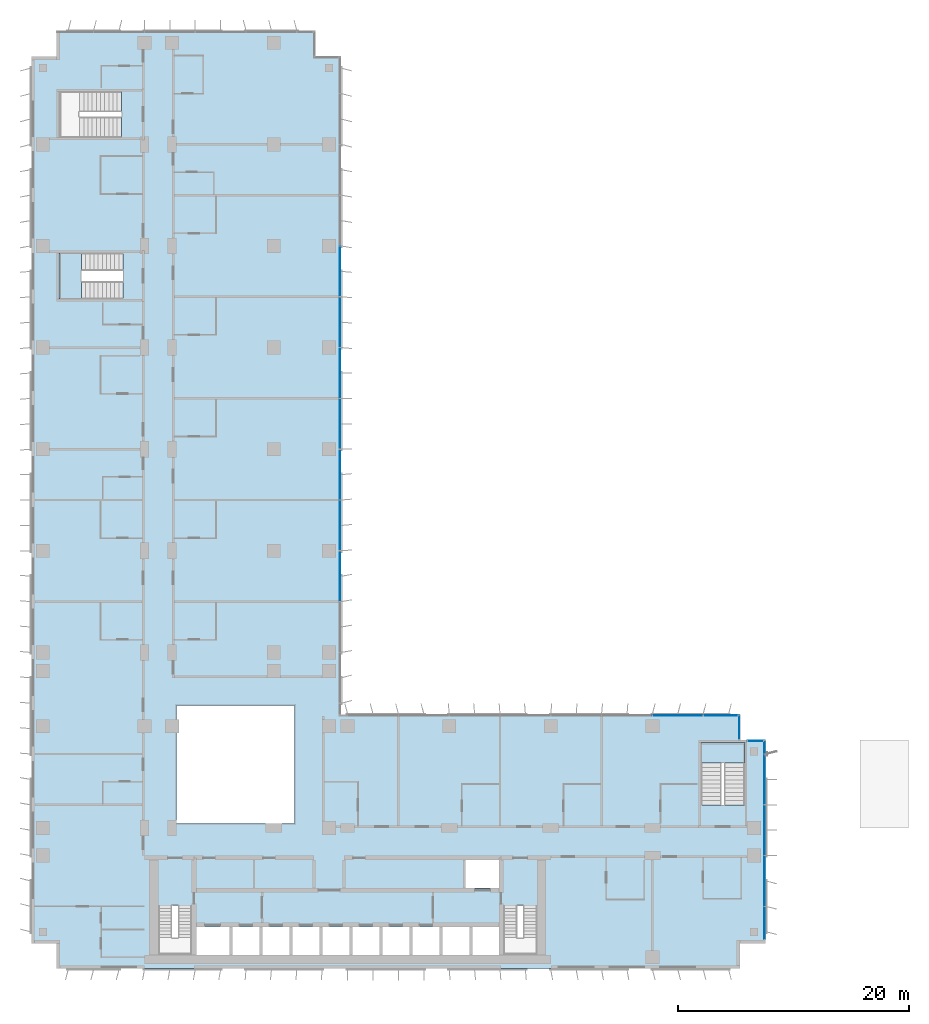
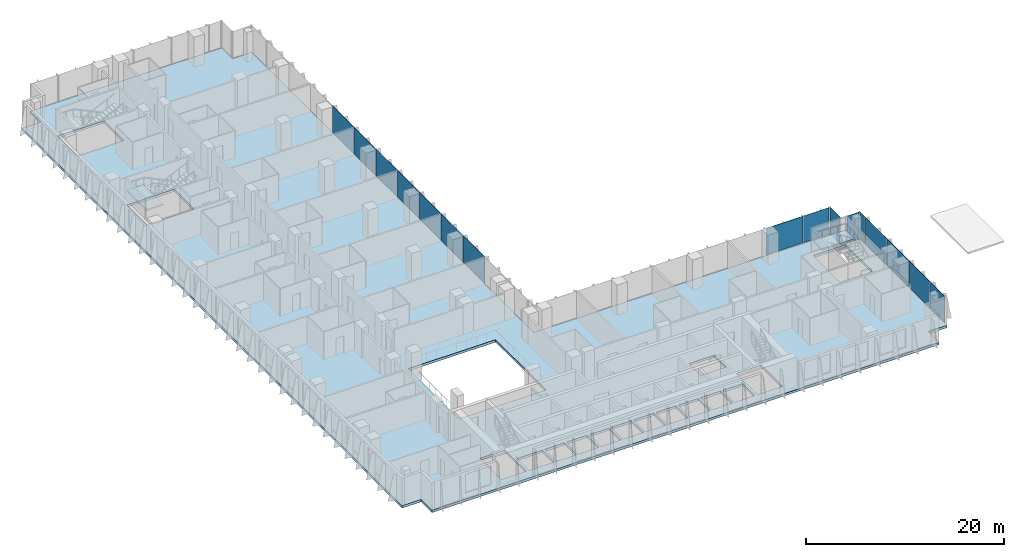
# One storey, part 11 of 22: 16 plates, 3 slabs, 7 elements without a shape of their own.
"""IFC4 building model written with IfcOpenShell, lengths in metres."""

import ifcopenshell
import ifcopenshell.guid

model = None  # the IFC model being written
_history = None  # IfcOwnerHistory: only IFC2X3 demands one
_inside = {}  # id of a spatial element -> (the spatial element, [elements in it])
_under = {}  # id of a project, library or spatial element -> (it, [spatial elements below it])
_declared = {}  # id of a project -> (the project, [libraries it declares])
_typed = {}  # id of a type object -> (the type object, [elements of that type])
_made_of = {}  # id of a material, layer set ... -> (it, [elements and type objects made of it])


def new_model(schema):
    """Start an empty IFC model of exactly this schema.

    Asked for "IFC4X3", IfcOpenShell would pick the latest addendum, in which some entities
    have other attributes; the version numbers below select the first issue.
    IFC2X3 requires an IfcOwnerHistory on every rooted entity: one is made here for all.
    """
    global model, _history
    if schema == "IFC4X3":
        model = ifcopenshell.file(schema_version=(4, 3, 0, 0))
    else:
        model = ifcopenshell.file(schema=schema)
    _inside.clear()
    _under.clear()
    _declared.clear()
    _typed.clear()
    _made_of.clear()
    _history = None
    if model.schema == "IFC2X3":
        org = make("IfcOrganization", Name="unknown")
        user = make(
            "IfcPersonAndOrganization",
            ThePerson=make("IfcPerson", FamilyName="unknown"),
            TheOrganization=org,
        )
        app = make(
            "IfcApplication",
            ApplicationDeveloper=org,
            Version="unknown",
            ApplicationFullName="unknown",
            ApplicationIdentifier="unknown",
        )
        _history = make(
            "IfcOwnerHistory",
            OwningUser=user,
            OwningApplication=app,
            ChangeAction="ADDED",
            CreationDate=0,
        )
    return model


def make(cls, **values):
    """One entity of the class cls with the attributes given. An attribute that is None is left unset."""
    return model.create_entity(
        cls, **{name: value for name, value in values.items() if value is not None}
    )


def rooted(cls, **values):
    """An entity with a GlobalId (a new one), such as an element, a storey or a relation."""
    return make(cls, GlobalId=ifcopenshell.guid.new(), OwnerHistory=_history, **values)


def si_unit(unit_type, name, prefix=None):
    """IfcSIUnit, for example si_unit("LENGTHUNIT", "METRE", prefix="MILLI")."""
    return make("IfcSIUnit", UnitType=unit_type, Prefix=prefix, Name=name)


def assignment(units):
    """IfcUnitAssignment: the units of a project."""
    return None if units is None else make("IfcUnitAssignment", Units=units)


def point(xyz):
    """IfcCartesianPoint."""
    return None if xyz is None else make("IfcCartesianPoint", Coordinates=xyz)


def direction(xyz):
    """IfcDirection."""
    return None if xyz is None else make("IfcDirection", DirectionRatios=xyz)


def frame(location, z_axis=None, x_axis=None):
    """IfcAxis2Placement3D, a coordinate frame: its origin and axes. An axis left out is left unset."""
    return make(
        "IfcAxis2Placement3D",
        Location=point(location),
        Axis=direction(z_axis),
        RefDirection=direction(x_axis),
    )


def frame_2d(location, x_axis=None):
    """IfcAxis2Placement2D, a coordinate frame in the plane: its origin and x axis."""
    return make(
        "IfcAxis2Placement2D", Location=point(location), RefDirection=direction(x_axis)
    )


def origin():
    """The frame at (0, 0, 0) with its axes left unset."""
    return frame((0.0, 0.0, 0.0))


def origin_2d():
    """The frame at (0, 0) in the plane with its x axis left unset."""
    return frame_2d((0.0, 0.0))


def place(relative_to, where):
    """IfcLocalPlacement: puts the frame where relative to a parent placement (None: the world)."""
    return make(
        "IfcLocalPlacement", PlacementRelTo=relative_to, RelativePlacement=where
    )


def context(
    kind, dimensions, precision=None, world=None, true_north=None, identifier=None
):
    """IfcGeometricRepresentationContext, for example the 3D "Model" context."""
    return make(
        "IfcGeometricRepresentationContext",
        ContextIdentifier=identifier,
        ContextType=kind,
        CoordinateSpaceDimension=dimensions,
        Precision=precision,
        WorldCoordinateSystem=world,
        TrueNorth=true_north,
    )


def subcontext(parent, identifier, kind, view, scale=None):
    """IfcGeometricRepresentationSubContext, for example "Body" below "Model"."""
    return make(
        "IfcGeometricRepresentationSubContext",
        ContextIdentifier=identifier,
        ContextType=kind,
        ParentContext=parent,
        TargetScale=scale,
        TargetView=view,
    )


def project(units=None, contexts=None):
    """IfcProject with its units and contexts."""
    return rooted(
        "IfcProject",
        Name="project",
        RepresentationContexts=contexts,
        UnitsInContext=assignment(units),
    )


def spatial(cls, under=None, at=None, **own):
    """A site, building, storey or space (cls), placed at a placement, below another one or the project."""
    s = rooted(cls, ObjectPlacement=at, **own)
    if under is not None:
        _under.setdefault(under.id(), (under, []))[1].append(s)
    return s


def polyline(points):
    """IfcPolyline through the points."""
    return make("IfcPolyline", Points=[point(p) for p in points])


def profile(cls, at=None, kind="AREA", **sizes):
    """A parametric profile (cls). Its sizes go by their IFC names, for example OverallWidth=200.0."""
    return make(cls, ProfileType=kind, Position=at, **sizes)


def rectangle(**sizes):
    """IfcRectangleProfileDef."""
    return profile("IfcRectangleProfileDef", **sizes)


def outline(outer, holes=None, kind="AREA"):
    """IfcArbitraryClosedProfileDef: a profile drawn as a closed curve; with holes, ...WithVoids."""
    if holes is None:
        return make("IfcArbitraryClosedProfileDef", ProfileType=kind, OuterCurve=outer)
    return make(
        "IfcArbitraryProfileDefWithVoids",
        ProfileType=kind,
        OuterCurve=outer,
        InnerCurves=holes,
    )


def extrude(swept, where, along, depth):
    """IfcExtrudedAreaSolid: the profile swept, set in the frame where, extruded along a direction by depth."""
    return make(
        "IfcExtrudedAreaSolid",
        SweptArea=swept,
        Position=where,
        ExtrudedDirection=direction(along),
        Depth=depth,
    )


def shape(context_of_items, identifier, shape_type, items):
    """IfcShapeRepresentation: the items that make up one representation, for example the "Body"."""
    return make(
        "IfcShapeRepresentation",
        ContextOfItems=context_of_items,
        RepresentationIdentifier=identifier,
        RepresentationType=shape_type,
        Items=items,
    )


def source(mapping_origin, context_of_items, identifier, shape_type, items):
    """IfcRepresentationMap: a shape defined once, which mapped items show again and again."""
    return make(
        "IfcRepresentationMap",
        MappingOrigin=mapping_origin,
        MappedRepresentation=shape(context_of_items, identifier, shape_type, items),
    )


def transform(
    local_origin,
    x_axis=None,
    y_axis=None,
    z_axis=None,
    scale=None,
    scale2=None,
    scale3=None,
    uniform=True,
):
    """IfcCartesianTransformationOperator3D, or its non-uniform kind. x_axis, y_axis, z_axis: its Axis1, 2, 3."""
    if uniform:
        return make(
            "IfcCartesianTransformationOperator3D",
            Axis1=direction(x_axis),
            Axis2=direction(y_axis),
            LocalOrigin=point(local_origin),
            Scale=scale,
            Axis3=direction(z_axis),
        )
    return make(
        "IfcCartesianTransformationOperator3DnonUniform",
        Axis1=direction(x_axis),
        Axis2=direction(y_axis),
        LocalOrigin=point(local_origin),
        Scale=scale,
        Axis3=direction(z_axis),
        Scale2=scale2,
        Scale3=scale3,
    )


def mapped(mapping_source, mapping_target):
    """IfcMappedItem: shows the shape of a source again, moved by a transform."""
    return make(
        "IfcMappedItem", MappingSource=mapping_source, MappingTarget=mapping_target
    )


def material(Name=None, Category=None):
    """IfcMaterial."""
    return make("IfcMaterial", Name=Name, Category=Category)


def layer(
    of_material, thickness, ventilated=None, Name=None, Category=None, Priority=None
):
    """IfcMaterialLayer: one layer of a wall or slab, of a material (None: an air gap)."""
    return make(
        "IfcMaterialLayer",
        Material=of_material,
        LayerThickness=thickness,
        IsVentilated=ventilated,
        Name=Name,
        Category=Category,
        Priority=Priority,
    )


def layer_set(layers, Name=None):
    """IfcMaterialLayerSet."""
    return make("IfcMaterialLayerSet", MaterialLayers=layers, LayerSetName=Name)


def made_of(thing, what):
    """Note that an element or type object is made of a material, layer set ...; save() writes the relation."""
    if what is not None:
        _made_of.setdefault(what.id(), (what, []))[1].append(thing)
    return thing


def type_object(cls, material=None, **own):
    """A type object (cls), such as IfcWallType, which elements share."""
    return made_of(rooted(cls, **own), material)


def element(
    cls,
    number,
    at=None,
    inside=None,
    cuts=None,
    type_object=None,
    material=None,
    context=None,
    identifier="Body",
    shape_type=None,
    held_by="IfcProductDefinitionShape",
    body=None,
    shapes=None,
    **own,
):
    """One element of the class cls, such as IfcWall. Its Tag is "e" and its number.

    at: its placement. inside: the storey or other place that contains it. cuts: it is an
    opening in that element (IfcRelVoidsElement). A single representation is given by context,
    identifier, shape_type and body (its items); several are given by shapes. held_by: the class
    of the entity that holds the representations. save() writes the other relations.
    """
    e = rooted(cls, Tag="e%d" % number, ObjectPlacement=at, **own)
    if body is not None:
        shapes = [shape(context, identifier, shape_type, body)]
    if shapes is not None:
        e.Representation = make(held_by, Representations=shapes)
    if inside is not None:
        _inside.setdefault(inside.id(), (inside, []))[1].append(e)
    if cuts is not None:
        rooted(
            "IfcRelVoidsElement", RelatingBuildingElement=cuts, RelatedOpeningElement=e
        )
    if type_object is not None:
        _typed.setdefault(type_object.id(), (type_object, []))[1].append(e)
    return made_of(e, material)


def aggregate(whole, parts):
    """IfcRelAggregates: a whole, such as a stair, and the parts it consists of."""
    return rooted("IfcRelAggregates", RelatingObject=whole, RelatedObjects=parts)


def save(model, path):
    """Write the relations noted so far, then the file.

    IfcRelAggregates (storeys below a building ...), IfcRelContainedInSpatialStructure (elements
    in a storey), IfcRelDefinesByType, IfcRelAssociatesMaterial and IfcRelDeclares: one each for
    every whole, place, type object, material and project.
    """
    for whole, parts in _under.values():
        aggregate(whole, parts)
    for where, things in _inside.values():
        rooted(
            "IfcRelContainedInSpatialStructure",
            RelatedElements=things,
            RelatingStructure=where,
        )
    for kind, things in _typed.values():
        rooted("IfcRelDefinesByType", RelatedObjects=things, RelatingType=kind)
    for what, things in _made_of.values():
        rooted("IfcRelAssociatesMaterial", RelatedObjects=things, RelatingMaterial=what)
    for by, libraries in _declared.values():
        rooted("IfcRelDeclares", RelatingContext=by, RelatedDefinitions=libraries)
    model.write(path)


model = new_model("IFC4")

# Units and contexts
model_context = context("Model", 3, precision=1e-05, world=origin(), true_north=direction((0.0, 1.0)))
body_context = subcontext(model_context, "Body", "Model", "MODEL_VIEW")
ifc_project = project(units=[si_unit("LENGTHUNIT", "METRE"), si_unit("AREAUNIT", "SQUARE_METRE"), si_unit("VOLUMEUNIT", "CUBIC_METRE"), si_unit("PLANEANGLEUNIT", "RADIAN"), si_unit("MASSUNIT", "GRAM", prefix="KILO")], contexts=[model_context])

# Site, building, storey
site_placement = place(None, origin())
site = spatial("IfcSite", under=ifc_project, at=site_placement, CompositionType="ELEMENT")
building_placement = place(site_placement, origin())
building = spatial("IfcBuilding", under=site, at=building_placement, Name="Kemantara Hotel Tower", CompositionType="ELEMENT")
storey_placement = place(building_placement, frame((0.0, 0.0, 87.10009765625)))
storey = spatial("IfcBuildingStorey", under=building, at=storey_placement, Name="L20", CompositionType="ELEMENT", Elevation=87.10009765625)

# Slab
ifc_material_1 = material(Name="Concrete fc 40 MPa", Category="concrete")
ifc_layer_1 = layer(ifc_material_1, 0.300048828125)
ifc_layer_set_1 = layer_set([ifc_layer_1], Name="Concrete fc 40 MPa")
slab_type_1 = type_object("IfcSlabType", Name="POST-TENSIONED FLAT PLATE 300", PredefinedType="FLOOR", material=ifc_layer_set_1)
slab_1_placement = place(storey_placement, frame((0.0, 0.0, -0.300048828125)))
element("IfcSlab", 1, at=slab_1_placement, inside=storey, type_object=slab_type_1, Name="FLOOR SLAB L20", PredefinedType="FLOOR", context=body_context, shape_type="SweptSolid", body=[
    extrude(outline(polyline([(26.800048828125, 79.0), (24.60009765625, 79.0), (24.60009765625, 81.199951171875), (2.199951171875, 81.199951171875), (2.199951171875, 79.0), (0.0, 79.0), (0.0, 2.199951171875), (2.199951171875, 2.199951171875), (2.199951171875, 0.0), (61.39990234375, 0.0), (61.39990234375, 2.199951171875), (63.60009765625, 2.199951171875), (63.60009765625, 19.800048828125), (61.39990234375, 19.800048828125), (61.39990234375, 22.0), (26.800048828125, 22.0), (26.800048828125, 79.0)]), holes=[polyline([(17.175048828125, 1.199951171875), (14.22509765625, 1.199951171875), (14.22509765625, 3.60009765625), (17.175048828125, 3.60009765625), (17.175048828125, 1.199951171875)]), polyline([(19.77490234375, 1.199951171875), (17.425048828125, 1.199951171875), (17.425048828125, 3.60009765625), (19.77490234375, 3.60009765625), (19.77490234375, 1.199951171875)]), polyline([(22.375, 1.199951171875), (20.02490234375, 1.199951171875), (20.02490234375, 3.60009765625), (22.375, 3.60009765625), (22.375, 1.199951171875)]), polyline([(24.97509765625, 1.199951171875), (22.625, 1.199951171875), (22.625, 3.60009765625), (24.97509765625, 3.60009765625), (24.97509765625, 1.199951171875)]), polyline([(27.574951171875, 1.199951171875), (25.22509765625, 1.199951171875), (25.22509765625, 3.60009765625), (27.574951171875, 3.60009765625), (27.574951171875, 1.199951171875)]), polyline([(11.0, 1.199951171875), (11.0, 5.49951171875), (13.89990234375, 5.49951171875), (13.89990234375, 1.199951171875), (11.0, 1.199951171875)]), polyline([(22.800048828125, 12.60009765625), (12.60009765625, 12.60009765625), (12.60009765625, 22.800048828125), (22.800048828125, 22.800048828125), (22.800048828125, 12.60009765625)]), polyline([(2.39990234375, 62.0), (7.949462890625, 62.0), (7.949462890625, 58.0), (2.39990234375, 58.0), (2.39990234375, 62.0)]), polyline([(2.39990234375, 76.0), (7.79931640625, 76.0), (7.79931640625, 72.0), (2.39990234375, 72.0), (2.39990234375, 76.0)]), polyline([(30.175048828125, 1.199951171875), (27.824951171875, 1.199951171875), (27.824951171875, 3.60009765625), (30.175048828125, 3.60009765625), (30.175048828125, 1.199951171875)]), polyline([(32.77490234375, 1.199951171875), (30.425048828125, 1.199951171875), (30.425048828125, 3.60009765625), (32.77490234375, 3.60009765625), (32.77490234375, 1.199951171875)]), polyline([(35.375, 1.199951171875), (33.02490234375, 1.199951171875), (33.02490234375, 3.60009765625), (35.375, 3.60009765625), (35.375, 1.199951171875)]), polyline([(37.97509765625, 1.199951171875), (35.625, 1.199951171875), (35.625, 3.60009765625), (37.97509765625, 3.60009765625), (37.97509765625, 1.199951171875)]), polyline([(40.574951171875, 1.199951171875), (38.22509765625, 1.199951171875), (38.22509765625, 3.60009765625), (40.574951171875, 3.60009765625), (40.574951171875, 1.199951171875)]), polyline([(40.89990234375, 1.199951171875), (40.89990234375, 5.49951171875), (43.800048828125, 5.49951171875), (43.800048828125, 1.199951171875), (40.89990234375, 1.199951171875)]), polyline([(37.625, 7.0), (37.625, 9.39990234375), (40.574951171875, 9.39990234375), (40.574951171875, 7.0), (37.625, 7.0)]), polyline([(61.800048828125, 14.20068359375), (58.0, 14.20068359375), (58.0, 19.60009765625), (61.800048828125, 19.60009765625), (61.800048828125, 14.20068359375)])]), origin(), (0.0, 0.0, 1.0), 0.300048828125),
])

# Stair, slab
stair_type_1 = type_object("IfcStairType", Name="Stair 1800 wide 22 risers of 168 x 360 mm", PredefinedType="HALF_TURN_STAIR", material=ifc_material_1)
stair_1_placement = place(storey_placement, origin())
stair_1 = element("IfcStair", 2, at=stair_1_placement, inside=storey, type_object=stair_type_1, Name="L20 Exit stair ST3", PredefinedType="HALF_TURN_STAIR")
ifc_layer_2 = layer(ifc_material_1, 0.199951171875)
ifc_layer_set_2 = layer_set([ifc_layer_2], Name="Concrete fc 40 MPa")
slab_type_2 = type_object("IfcSlabType", Name="Stair landing 200 mm", PredefinedType="LANDING", material=ifc_layer_set_2)
slab_2_placement = place(storey_placement, frame((0.0, 0.0, 1.64990234375)))
slab_2 = element("IfcSlab", 3, at=slab_2_placement, type_object=slab_type_2, Name="ST3 landing 1", PredefinedType="LANDING", context=body_context, shape_type="SweptSolid", body=[
    extrude(outline(polyline([(61.800048828125, 17.800048828125), (61.800048828125, 19.60009765625), (58.0, 19.60009765625), (58.0, 17.800048828125), (61.800048828125, 17.800048828125)])), origin(), (0.0, 0.0, 1.0), 0.199951171875),
])
aggregate(stair_1, [slab_2])

stair_type_2 = type_object("IfcStairType", Name="Stair 1550 wide 22 risers of 168 x 360 mm", PredefinedType="HALF_TURN_STAIR", material=ifc_material_1)
stair_2_placement = place(storey_placement, origin())
stair_2 = element("IfcStair", 4, at=stair_2_placement, inside=storey, type_object=stair_type_2, Name="L20 Exit stair ST4", PredefinedType="HALF_TURN_STAIR")
slab_3_placement = place(storey_placement, frame((0.0, 0.0, 1.64990234375)))
slab_3 = element("IfcSlab", 5, at=slab_3_placement, type_object=slab_type_2, Name="ST4 landing 1", PredefinedType="LANDING", context=body_context, shape_type="SweptSolid", body=[
    extrude(outline(polyline([(4.35009765625, 62.0), (2.39990234375, 62.0), (2.39990234375, 58.0), (4.35009765625, 58.0), (4.35009765625, 62.0)])), origin(), (0.0, 0.0, 1.0), 0.199951171875),
])
aggregate(stair_2, [slab_3])

# Curtain wall, plates
ifc_material_2 = material(Name="Low-E tinted double insulated glass 36 mm", Category="glass")
curtain_wall_type = type_object("IfcCurtainWallType", Name="TOWER CURTAIN WALL, FRONT FACES", PredefinedType="USERDEFINED", material=ifc_material_2)
curtain_wall_1_placement = place(storey_placement, origin())
curtain_wall_1 = element("IfcCurtainWall", 6, at=curtain_wall_1_placement, inside=storey, type_object=curtain_wall_type, Name="CW4 L20 T2-R10-1", ObjectType="TOWER CURTAIN WALL, FRONT FACES", PredefinedType="USERDEFINED")
ifc_layer_3 = layer(ifc_material_2, 0.035888671875)
ifc_layer_set_3 = layer_set([ifc_layer_3], Name="Low-E tinted double insulated glass 36 mm")
plate_type = type_object("IfcPlateType", Name="TOWER CURTAIN WALL, FRONT FACES PANEL", PredefinedType="CURTAIN_PANEL", material=ifc_layer_set_3)
shared_shape_1 = source(origin(), body_context, "Body", "SweptSolid", [
    extrude(rectangle(XDim=2.81005859375, YDim=0.035888671875, at=origin_2d()), origin(), (0.0, 0.0, 1.0), 3.280029296875),
])
plate_1_placement = place(storey_placement, frame((63.52490234375, 3.965087890625, 0.1201171875), z_axis=(0.0, 0.0, 1.0), x_axis=(0.0, 1.0, 0.0)))
plate_1 = element("IfcPlate", 7, at=plate_1_placement, type_object=plate_type, Name="CW4 glass panel T2-R10-1.1", PredefinedType="CURTAIN_PANEL", context=body_context, shape_type="MappedRepresentation", body=[
    mapped(shared_shape_1, transform((0.0, 0.0, 0.0))),
])
shared_shape_2 = source(origin(), body_context, "Body", "SweptSolid", [
    extrude(rectangle(XDim=4.340087890625, YDim=0.035888671875, at=origin_2d()), origin(), (0.0, 0.0, 1.0), 3.280029296875),
])
plate_2_placement = place(storey_placement, frame((63.52490234375, 7.60009765625, 0.1201171875), z_axis=(0.0, 0.0, 1.0), x_axis=(0.0, 1.0, 0.0)))
plate_2 = element("IfcPlate", 8, at=plate_2_placement, type_object=plate_type, Name="CW4 glass panel T2-R10-1.2", PredefinedType="CURTAIN_PANEL", context=body_context, shape_type="MappedRepresentation", body=[
    mapped(shared_shape_2, transform((0.0, 0.0, 0.0))),
])
plate_3_placement = place(storey_placement, frame((63.52490234375, 12.0, 0.1201171875), z_axis=(0.0, 0.0, 1.0), x_axis=(0.0, 1.0, 0.0)))
plate_3 = element("IfcPlate", 9, at=plate_3_placement, type_object=plate_type, Name="CW4 glass panel T2-R10-1.3", PredefinedType="CURTAIN_PANEL", context=body_context, shape_type="MappedRepresentation", body=[
    mapped(shared_shape_2, transform((0.0, 0.0, 0.0))),
])
plate_4_placement = place(storey_placement, frame((63.52490234375, 16.39990234375, 0.1201171875), z_axis=(0.0, 0.0, 1.0), x_axis=(0.0, 1.0, 0.0)))
plate_4 = element("IfcPlate", 10, at=plate_4_placement, type_object=plate_type, Name="CW4 glass panel T2-R10-1.4", PredefinedType="CURTAIN_PANEL", context=body_context, shape_type="MappedRepresentation", body=[
    mapped(shared_shape_2, transform((0.0, 0.0, 0.0))),
])

# Curtain wall, plate
curtain_wall_2_placement = place(storey_placement, origin())
curtain_wall_2 = element("IfcCurtainWall", 11, at=curtain_wall_2_placement, inside=storey, type_object=curtain_wall_type, Name="CW4 L20 T2-R13-1", ObjectType="TOWER CURTAIN WALL, FRONT FACES", PredefinedType="USERDEFINED")
plate_5_placement = place(storey_placement, frame((56.0, 21.925048828125, 0.1201171875), z_axis=(0.0, 0.0, 1.0), x_axis=(-1.0, 0.0, 0.0)))
plate_5 = element("IfcPlate", 12, at=plate_5_placement, type_object=plate_type, Name="CW4 glass panel T2-R13-1.2", PredefinedType="CURTAIN_PANEL", context=body_context, shape_type="MappedRepresentation", body=[
    mapped(shared_shape_2, transform((0.0, 0.0, 0.0))),
])

# Curtain wall, plates
curtain_wall_3_placement = place(storey_placement, origin())
curtain_wall_3 = element("IfcCurtainWall", 13, at=curtain_wall_3_placement, inside=storey, type_object=curtain_wall_type, Name="CW4 L20 T2-R14-1", ObjectType="TOWER CURTAIN WALL, FRONT FACES", PredefinedType="USERDEFINED")
plate_6_placement = place(storey_placement, frame((26.72509765625, 34.0, 0.1201171875), z_axis=(0.0, 0.0, 1.0), x_axis=(0.0, 1.0, 0.0)))
plate_6 = element("IfcPlate", 14, at=plate_6_placement, type_object=plate_type, Name="CW4 glass panel T2-R14-1.4", PredefinedType="CURTAIN_PANEL", context=body_context, shape_type="MappedRepresentation", body=[
    mapped(shared_shape_2, transform((0.0, 0.0, 0.0))),
])
plate_7_placement = place(storey_placement, frame((26.72509765625, 38.39990234375, 0.1201171875), z_axis=(0.0, 0.0, 1.0), x_axis=(0.0, 1.0, 0.0)))
plate_7 = element("IfcPlate", 15, at=plate_7_placement, type_object=plate_type, Name="CW4 glass panel T2-R14-1.5", PredefinedType="CURTAIN_PANEL", context=body_context, shape_type="MappedRepresentation", body=[
    mapped(shared_shape_2, transform((0.0, 0.0, 0.0))),
])
plate_8_placement = place(storey_placement, frame((26.72509765625, 42.800048828125, 0.1201171875), z_axis=(0.0, 0.0, 1.0), x_axis=(0.0, 1.0, 0.0)))
plate_8 = element("IfcPlate", 16, at=plate_8_placement, type_object=plate_type, Name="CW4 glass panel T2-R14-1.6", PredefinedType="CURTAIN_PANEL", context=body_context, shape_type="MappedRepresentation", body=[
    mapped(shared_shape_2, transform((0.0, 0.0, 0.0))),
])
plate_9_placement = place(storey_placement, frame((26.72509765625, 47.199951171875, 0.1201171875), z_axis=(0.0, 0.0, 1.0), x_axis=(0.0, 1.0, 0.0)))
plate_9 = element("IfcPlate", 17, at=plate_9_placement, type_object=plate_type, Name="CW4 glass panel T2-R14-1.7", PredefinedType="CURTAIN_PANEL", context=body_context, shape_type="MappedRepresentation", body=[
    mapped(shared_shape_2, transform((0.0, 0.0, 0.0))),
])
plate_10_placement = place(storey_placement, frame((26.72509765625, 51.60009765625, 0.1201171875), z_axis=(0.0, 0.0, 1.0), x_axis=(0.0, 1.0, 0.0)))
plate_10 = element("IfcPlate", 18, at=plate_10_placement, type_object=plate_type, Name="CW4 glass panel T2-R14-1.8", PredefinedType="CURTAIN_PANEL", context=body_context, shape_type="MappedRepresentation", body=[
    mapped(shared_shape_2, transform((0.0, 0.0, 0.0))),
])
plate_11_placement = place(storey_placement, frame((26.72509765625, 56.0, 0.1201171875), z_axis=(0.0, 0.0, 1.0), x_axis=(0.0, 1.0, 0.0)))
plate_11 = element("IfcPlate", 19, at=plate_11_placement, type_object=plate_type, Name="CW4 glass panel T2-R14-1.9", PredefinedType="CURTAIN_PANEL", context=body_context, shape_type="MappedRepresentation", body=[
    mapped(shared_shape_2, transform((0.0, 0.0, 0.0))),
])
plate_12_placement = place(storey_placement, frame((26.72509765625, 60.39990234375, 0.1201171875), z_axis=(0.0, 0.0, 1.0), x_axis=(0.0, 1.0, 0.0)))
plate_12 = element("IfcPlate", 20, at=plate_12_placement, type_object=plate_type, Name="CW4 glass panel T2-R14-1.10", PredefinedType="CURTAIN_PANEL", context=body_context, shape_type="MappedRepresentation", body=[
    mapped(shared_shape_2, transform((0.0, 0.0, 0.0))),
])
aggregate(curtain_wall_3, [plate_6, plate_7, plate_8, plate_9, plate_10, plate_11, plate_12])

# Curtain wall, plate
curtain_wall_4_placement = place(storey_placement, origin())
curtain_wall_4 = element("IfcCurtainWall", 21, at=curtain_wall_4_placement, inside=storey, type_object=curtain_wall_type, Name="CW4 L20 T2-R12-1", ObjectType="TOWER CURTAIN WALL, FRONT FACES", PredefinedType="USERDEFINED")
shared_shape_3 = source(origin(), body_context, "Body", "SweptSolid", [
    extrude(rectangle(XDim=2.080078125, YDim=0.035888671875, at=origin_2d()), origin(), (0.0, 0.0, 1.0), 3.280029296875),
])
plate_13_placement = place(storey_placement, frame((61.324951171875, 20.89990234375, 0.1201171875), z_axis=(0.0, 0.0, 1.0), x_axis=(0.0, 1.0, 0.0)))
plate_13 = element("IfcPlate", 22, at=plate_13_placement, type_object=plate_type, Name="CW4 glass panel T2-R12-1.1", PredefinedType="CURTAIN_PANEL", context=body_context, shape_type="MappedRepresentation", body=[
    mapped(shared_shape_3, transform((0.0, 0.0, 0.0))),
])
aggregate(curtain_wall_4, [plate_13])

# Plate
shared_shape_4 = source(origin(), body_context, "Body", "SweptSolid", [
    extrude(rectangle(XDim=2.9599609375, YDim=0.035888671875, at=origin_2d()), origin(), (0.0, 0.0, 1.0), 3.280029296875),
])
plate_14_placement = place(storey_placement, frame((59.7099609375, 21.925048828125, 0.1201171875), z_axis=(0.0, 0.0, 1.0), x_axis=(-1.0, 0.0, 0.0)))
plate_14 = element("IfcPlate", 23, at=plate_14_placement, type_object=plate_type, Name="CW4 glass panel T2-R13-1.1", PredefinedType="CURTAIN_PANEL", context=body_context, shape_type="MappedRepresentation", body=[
    mapped(shared_shape_4, transform((0.0, 0.0, 0.0))),
])

aggregate(curtain_wall_2, [plate_14, plate_5])

shared_shape_5 = source(origin(), body_context, "Body", "SweptSolid", [
    extrude(rectangle(XDim=1.110107421875, YDim=0.035888671875, at=origin_2d()), origin(), (0.0, 0.0, 1.0), 3.280029296875),
])
plate_15_placement = place(storey_placement, frame((63.52490234375, 19.18505859375, 0.1201171875), z_axis=(0.0, 0.0, 1.0), x_axis=(0.0, 1.0, 0.0)))
plate_15 = element("IfcPlate", 24, at=plate_15_placement, type_object=plate_type, Name="CW4 glass panel T2-R10-1.5", PredefinedType="CURTAIN_PANEL", context=body_context, shape_type="MappedRepresentation", body=[
    mapped(shared_shape_5, transform((0.0, 0.0, 0.0))),
])

aggregate(curtain_wall_1, [plate_1, plate_2, plate_3, plate_4, plate_15])

# Curtain wall, plate
curtain_wall_5_placement = place(storey_placement, origin())
curtain_wall_5 = element("IfcCurtainWall", 25, at=curtain_wall_5_placement, inside=storey, type_object=curtain_wall_type, Name="CW4 L20 T2-R11-1", ObjectType="TOWER CURTAIN WALL, FRONT FACES", PredefinedType="USERDEFINED")
shared_shape_6 = source(origin(), body_context, "Body", "SweptSolid", [
    extrude(rectangle(XDim=1.330078125, YDim=0.035888671875, at=origin_2d()), origin(), (0.0, 0.0, 1.0), 3.280029296875),
])
plate_16_placement = place(storey_placement, frame((62.72509765625, 19.72509765625, 0.1201171875), z_axis=(0.0, 0.0, 1.0), x_axis=(-1.0, 0.0, 0.0)))
plate_16 = element("IfcPlate", 26, at=plate_16_placement, type_object=plate_type, Name="CW4 glass panel T2-R11-1.1", PredefinedType="CURTAIN_PANEL", context=body_context, shape_type="MappedRepresentation", body=[
    mapped(shared_shape_6, transform((0.0, 0.0, 0.0))),
])
aggregate(curtain_wall_5, [plate_16])

save(model, "model.ifc")
